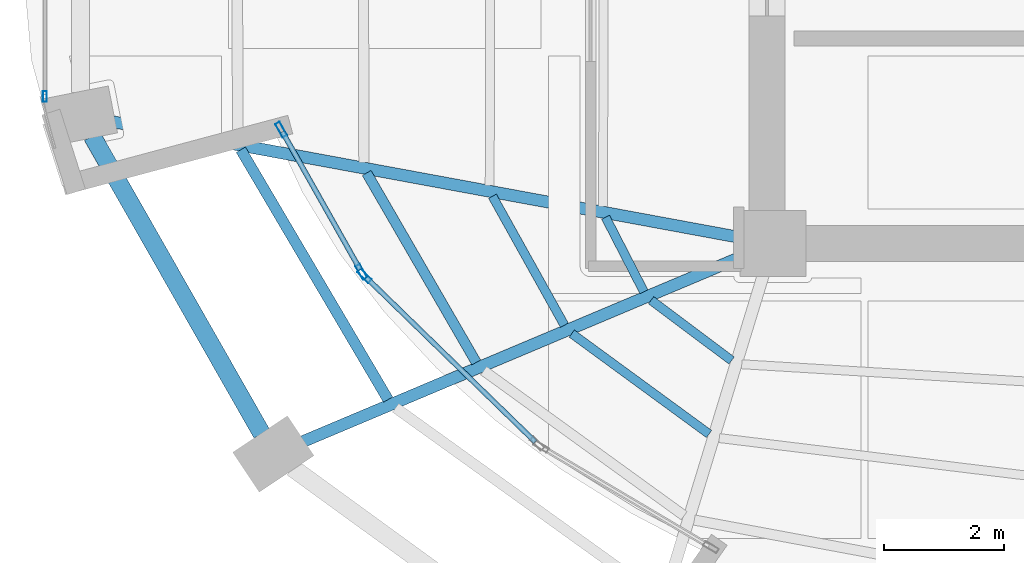
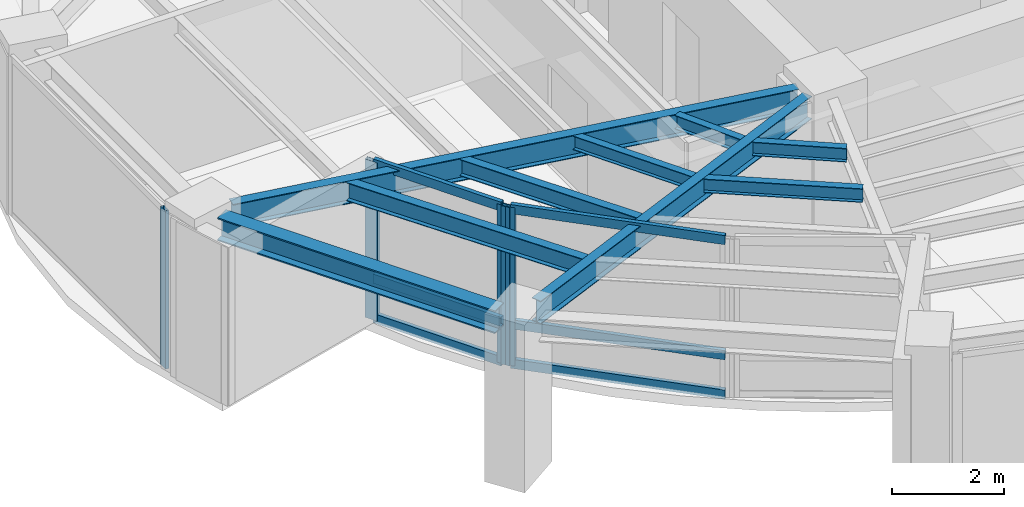
# One storey, part 3 of 22: 10 members, 9 beams, 3 elements without a shape of their own.
"""IFC4 building model written with IfcOpenShell, lengths in metres."""

from ifc_helpers import new_model, si_unit, direction, frame, origin, origin_2d, place, context, subcontext, project, spatial, hollow_rectangle, i_section, extrude, material, layer, layer_set, material_profile, profile_set, type_object, element, aggregate, save


model = new_model("IFC4")

# Units and contexts
model_context = context("Model", 3, precision=1e-05, world=origin(), true_north=direction((0.0, 1.0)))
body_context = subcontext(model_context, "Body", "Model", "MODEL_VIEW")
ifc_project = project(units=[si_unit("LENGTHUNIT", "METRE"), si_unit("AREAUNIT", "SQUARE_METRE"), si_unit("VOLUMEUNIT", "CUBIC_METRE"), si_unit("PLANEANGLEUNIT", "RADIAN"), si_unit("MASSUNIT", "GRAM", prefix="KILO")], contexts=[model_context])

# Site, building, storey
site_placement = place(None, origin())
site = spatial("IfcSite", under=ifc_project, at=site_placement, CompositionType="ELEMENT")
building_placement = place(site_placement, origin())
building = spatial("IfcBuilding", under=site, at=building_placement, Name="Lazwardi Medical Tower", CompositionType="ELEMENT")
storey_placement = place(building_placement, frame((0.0, 0.0, 224.01611328125)))
storey = spatial("IfcBuildingStorey", under=building, at=storey_placement, Name="L58", CompositionType="ELEMENT", Elevation=224.01611328125)

# Beams
ifc_material_1 = material(Name="Steel S355", Category="steel")
ifc_material_profile_1 = material_profile(ifc_material_1, i_section(OverallWidth=0.300048828125, OverallDepth=0.5, WebThickness=0.014404296875, FlangeThickness=0.028076171875, at=origin_2d()), Name="HEB 500")
ifc_profile_set_1 = profile_set([ifc_material_profile_1], Name="Steel S355")
beam_type_1 = type_object("IfcBeamType", Name="BM-RB-Z4", PredefinedType="BEAM", material=ifc_profile_set_1)
beam_1_placement = place(storey_placement, frame((15.008056640625, 22.1982421875, 3.197998046875), z_axis=(0.495125273299, -0.868821594886, 0.0), x_axis=(0.868821594886, 0.495125273299, 0.0)))
element("IfcBeam", 1, at=beam_1_placement, inside=storey, type_object=beam_type_1, Name="Ring beam RB-05 B13 L58", PredefinedType="BEAM", context=body_context, shape_type="SweptSolid", body=[
    extrude(i_section(OverallWidth=0.300048828125, OverallDepth=0.5, WebThickness=0.014404296875, FlangeThickness=0.028076171875, at=origin_2d()), origin(), (0.0, 0.0, 1.0), 5.734130859375),
])
ifc_material_profile_2 = material_profile(ifc_material_1, i_section(OverallWidth=0.199951171875, OverallDepth=0.5, WebThickness=0.01025390625, FlangeThickness=0.01611328125, at=origin_2d()), Name="IPE 500")
ifc_profile_set_2 = profile_set([ifc_material_profile_2], Name="Steel S355")
beam_type_2 = type_object("IfcBeamType", Name="BM-RG-W3", PredefinedType="BEAM", material=ifc_profile_set_2)
beam_2_placement = place(storey_placement, frame((15.341064453125, 22.43994140625, 3.197998046875), z_axis=(0.983409341459, -0.181400295288, 0.0), x_axis=(0.181400295288, 0.983409341459, 0.0)))
element("IfcBeam", 2, at=beam_2_placement, inside=storey, type_object=beam_type_2, Name="Radial girder RG-04 R13 L58", PredefinedType="BEAM", context=body_context, shape_type="SweptSolid", body=[
    extrude(i_section(OverallWidth=0.199951171875, OverallDepth=0.5, WebThickness=0.01025390625, FlangeThickness=0.01611328125, at=origin_2d()), origin(), (0.0, 0.0, 1.0), 10.71044921875),
])
beam_3_placement = place(storey_placement, frame((18.533203125, 17.085205078125, 3.197998046875), z_axis=(0.921526791352, 0.388314785735, 0.0), x_axis=(-0.388314785735, 0.921526791352, 0.0)))
element("IfcBeam", 3, at=beam_3_placement, inside=storey, type_object=beam_type_2, Name="Radial girder RG-04 R14 L58", PredefinedType="BEAM", context=body_context, shape_type="SweptSolid", body=[
    extrude(i_section(OverallWidth=0.199951171875, OverallDepth=0.5, WebThickness=0.01025390625, FlangeThickness=0.01611328125, at=origin_2d()), origin(), (0.0, 0.0, 1.0), 8.001708984375),
])
ifc_material_profile_3 = material_profile(ifc_material_1, i_section(OverallWidth=0.179931640625, OverallDepth=0.39990234375, WebThickness=0.008544921875, FlangeThickness=0.013427734375, at=origin_2d()), Name="IPE 400")
ifc_profile_set_3 = profile_set([ifc_material_profile_3], Name="Steel S355")
beam_type_3 = type_object("IfcBeamType", Name="BM-SJ-01", PredefinedType="JOIST", material=ifc_profile_set_3)
beam_4_placement = place(storey_placement, frame((17.495849609375, 21.969482421875, 3.247802734375), z_axis=(0.507710311367, -0.861527851977, 0.0), x_axis=(0.861527851977, 0.507710311367, 0.0)))
element("IfcBeam", 4, at=beam_4_placement, inside=storey, type_object=beam_type_3, Name="Secondary joist SJ-01 R1 B13 L58", PredefinedType="JOIST", context=body_context, shape_type="SweptSolid", body=[
    extrude(i_section(OverallWidth=0.179931640625, OverallDepth=0.39990234375, WebThickness=0.008544921875, FlangeThickness=0.013427734375, at=origin_2d()), origin(), (0.0, 0.0, 1.0), 4.852783203125),
])
ifc_material_profile_4 = material_profile(ifc_material_1, i_section(OverallWidth=0.169921875, OverallDepth=0.360107421875, WebThickness=0.008056640625, FlangeThickness=0.0126953125, at=origin_2d()), Name="IPE 360")
ifc_profile_set_4 = profile_set([ifc_material_profile_4], Name="Steel S355")
beam_type_4 = type_object("IfcBeamType", Name="BM-SJ-02", PredefinedType="JOIST", material=ifc_profile_set_4)
beam_5_placement = place(storey_placement, frame((19.601806640625, 21.58056640625, 3.267822265625), z_axis=(0.500655179543, -0.865646805109, 0.0), x_axis=(0.865646805109, 0.500655179543, 0.0)))
element("IfcBeam", 5, at=beam_5_placement, inside=storey, type_object=beam_type_4, Name="Secondary joist SJ-02 R2 B13 L58", PredefinedType="JOIST", context=body_context, shape_type="SweptSolid", body=[
    extrude(i_section(OverallWidth=0.169921875, OverallDepth=0.360107421875, WebThickness=0.008056640625, FlangeThickness=0.0126953125, at=origin_2d()), origin(), (0.0, 0.0, 1.0), 3.662109375),
])
ifc_material_profile_5 = material_profile(ifc_material_1, i_section(OverallWidth=0.14990234375, OverallDepth=0.300048828125, WebThickness=0.007080078125, FlangeThickness=0.0107421875, at=origin_2d()), Name="IPE 300")
ifc_profile_set_5 = profile_set([ifc_material_profile_5], Name="Steel S355")
beam_type_5 = type_object("IfcBeamType", Name="BM-SJ-03", PredefinedType="JOIST", material=ifc_profile_set_5)
beam_6_placement = place(storey_placement, frame((21.70703125, 21.19140625, 3.2978515625), z_axis=(0.487092942089, -0.873350139272, 0.0), x_axis=(0.873350139272, 0.487092942089, 0.0)))
element("IfcBeam", 6, at=beam_6_placement, inside=storey, type_object=beam_type_5, Name="Secondary joist SJ-03 R3 B13 L58", PredefinedType="JOIST", context=body_context, shape_type="SweptSolid", body=[
    extrude(i_section(OverallWidth=0.14990234375, OverallDepth=0.300048828125, WebThickness=0.007080078125, FlangeThickness=0.0107421875, at=origin_2d()), origin(), (0.0, 0.0, 1.0), 2.471923828125),
])
beam_7_placement = place(storey_placement, frame((23.0341796875, 18.893310546875, 3.2978515625), z_axis=(0.80703431267, -0.59050454543, 0.0), x_axis=(0.59050454543, 0.80703431267, 0.0)))
element("IfcBeam", 7, at=beam_7_placement, inside=storey, type_object=beam_type_5, Name="Secondary joist SJ-03 R3 B14 L58", PredefinedType="JOIST", context=body_context, shape_type="SweptSolid", body=[
    extrude(i_section(OverallWidth=0.14990234375, OverallDepth=0.300048828125, WebThickness=0.007080078125, FlangeThickness=0.0107421875, at=origin_2d()), origin(), (0.0, 0.0, 1.0), 2.846923828125),
])
beam_8_placement = place(storey_placement, frame((23.60009765625, 20.840087890625, 3.2978515625), z_axis=(0.457285056668, -0.889320176848, 0.0), x_axis=(0.889320176848, 0.457285056668, 0.0)))
element("IfcBeam", 8, at=beam_8_placement, inside=storey, type_object=beam_type_5, Name="Secondary joist SJ-03 R4 B13 L58", PredefinedType="JOIST", context=body_context, shape_type="SweptSolid", body=[
    extrude(i_section(OverallWidth=0.14990234375, OverallDepth=0.300048828125, WebThickness=0.007080078125, FlangeThickness=0.0107421875, at=origin_2d()), origin(), (0.0, 0.0, 1.0), 1.402099609375),
])
beam_9_placement = place(storey_placement, frame((24.36083984375, 19.451904296875, 3.2978515625), z_axis=(0.800365301971, -0.599512621553, 0.0), x_axis=(0.599512621553, 0.800365301971, 0.0)))
element("IfcBeam", 9, at=beam_9_placement, inside=storey, type_object=beam_type_5, Name="Secondary joist SJ-03 R4 B14 L58", PredefinedType="JOIST", context=body_context, shape_type="SweptSolid", body=[
    extrude(i_section(OverallWidth=0.14990234375, OverallDepth=0.300048828125, WebThickness=0.007080078125, FlangeThickness=0.0107421875, at=origin_2d()), origin(), (0.0, 0.0, 1.0), 1.68359375),
])

# Curtain wall, members
ifc_material_2 = material(Name="Anodised bronze aluminium and solar control glazing", Category="aluminium")
ifc_layer_1 = layer(ifc_material_2, 0.239990234375)
ifc_layer_set_1 = layer_set([ifc_layer_1], Name="Anodised bronze aluminium and solar control glazing")
curtain_wall_type_1 = type_object("IfcCurtainWallType", Name="CW-SYS-05", PredefinedType="NOTDEFINED", material=ifc_layer_set_1)
curtain_wall_1_placement = place(storey_placement, origin())
curtain_wall_1 = element("IfcCurtainWall", 10, at=curtain_wall_1_placement, inside=storey, type_object=curtain_wall_type_1, Name="L58 Unitised bronze curtain wall CW-05", PredefinedType="NOTDEFINED")
ifc_material_3 = material(Name="Anodised bronze aluminium", Category="aluminium")
ifc_material_profile_6 = material_profile(ifc_material_3, hollow_rectangle(XDim=0.0849609375, YDim=0.260009765625, WallThickness=0.0048828125, at=origin_2d()), Name="ALU-MULLION 260x85x5")
ifc_profile_set_6 = profile_set([ifc_material_profile_6], Name="Anodised bronze aluminium")
member_type_1 = type_object("IfcMemberType", Name="CW-MUL-02", PredefinedType="MULLION", material=ifc_profile_set_6)
member_1_placement = place(storey_placement, frame((18.170654296875, 22.30712890625, 0.0), z_axis=(0.0, 0.0, 1.0), x_axis=(0.871060591765, 0.491175574998, 0.0)))
member_1 = element("IfcMember", 11, at=member_1_placement, type_object=member_type_1, Name="CW-05 mullion 1", PredefinedType="MULLION", context=body_context, shape_type="SweptSolid", body=[
    extrude(hollow_rectangle(XDim=0.0849609375, YDim=0.260009765625, WallThickness=0.0048828125, at=origin_2d()), origin(), (0.0, 0.0, 1.0), 3.447998046875),
])
member_2_placement = place(storey_placement, frame((19.513427734375, 19.92578125, 0.0), z_axis=(0.0, 0.0, 1.0), x_axis=(0.871060591765, 0.491175574998, 0.0)))
member_2 = element("IfcMember", 12, at=member_2_placement, type_object=member_type_1, Name="CW-05 mullion 2", PredefinedType="MULLION", context=body_context, shape_type="SweptSolid", body=[
    extrude(hollow_rectangle(XDim=0.0849609375, YDim=0.260009765625, WallThickness=0.0048828125, at=origin_2d()), origin(), (0.0, 0.0, 1.0), 3.447998046875),
])

# Curtain wall, member
curtain_wall_2_placement = place(storey_placement, origin())
curtain_wall_2 = element("IfcCurtainWall", 13, at=curtain_wall_2_placement, inside=storey, type_object=curtain_wall_type_1, Name="L58 Unitised bronze curtain wall CW-05", PredefinedType="NOTDEFINED")
member_3_placement = place(storey_placement, frame((19.564697265625, 19.859130859375, 0.0), z_axis=(0.0, 0.0, 1.0), x_axis=(0.697060347158, 0.717012463225, 0.0)))
member_3 = element("IfcMember", 14, at=member_3_placement, type_object=member_type_1, Name="CW-05 mullion 1", PredefinedType="MULLION", context=body_context, shape_type="SweptSolid", body=[
    extrude(hollow_rectangle(XDim=0.0849609375, YDim=0.260009765625, WallThickness=0.0048828125, at=origin_2d()), origin(), (0.0, 0.0, 1.0), 3.447998046875),
])

ifc_layer_2 = layer(ifc_material_2, 0.18994140625)
ifc_layer_set_2 = layer_set([ifc_layer_2], Name="Anodised bronze aluminium and solar control glazing")
curtain_wall_type_2 = type_object("IfcCurtainWallType", Name="CW-SYS-04", PredefinedType="NOTDEFINED", material=ifc_layer_set_2)
curtain_wall_3_placement = place(storey_placement, origin())
curtain_wall_3 = element("IfcCurtainWall", 15, at=curtain_wall_3_placement, inside=storey, type_object=curtain_wall_type_2, Name="L58 Unitised bronze curtain wall CW-04", PredefinedType="NOTDEFINED")
ifc_material_profile_7 = material_profile(ifc_material_3, hollow_rectangle(XDim=0.06494140625, YDim=0.179931640625, WallThickness=0.00390625, at=origin_2d()), Name="ALU-MULLION 180x65x4")
ifc_profile_set_7 = profile_set([ifc_material_profile_7], Name="Anodised bronze aluminium")
member_type_2 = type_object("IfcMemberType", Name="CW-MUL-03", PredefinedType="MULLION", material=ifc_profile_set_7)
member_4_placement = place(storey_placement, frame((14.2158203125, 22.859619140625, 0.0), z_axis=(0.0, 0.0, 1.0), x_axis=(1.0, 0.0, 0.0)))
member_4 = element("IfcMember", 16, at=member_4_placement, type_object=member_type_2, Name="CW-04 mullion 2", PredefinedType="MULLION", context=body_context, shape_type="SweptSolid", body=[
    extrude(hollow_rectangle(XDim=0.06494140625, YDim=0.179931640625, WallThickness=0.00390625, at=origin_2d()), origin(), (0.0, 0.0, 1.0), 3.447998046875),
])
aggregate(curtain_wall_3, [member_4])

# Member
ifc_material_profile_8 = material_profile(ifc_material_3, hollow_rectangle(XDim=0.0849609375, YDim=0.199951171875, WallThickness=0.00439453125, at=origin_2d()), Name="ALU-TRANSOM 200x85x4.5")
ifc_profile_set_8 = profile_set([ifc_material_profile_8], Name="Anodised bronze aluminium")
member_type_3 = type_object("IfcMemberType", Name="CW-TRN-02", PredefinedType="USERDEFINED", material=ifc_profile_set_8)
member_5_placement = place(storey_placement, frame((18.19140625, 22.27001953125, 0.04248046875), z_axis=(0.491197470576, -0.871048244875, 0.0), x_axis=(0.871048244875, 0.491197470576, 0.0)))
member_5 = element("IfcMember", 17, at=member_5_placement, type_object=member_type_3, Name="CW-05 transom 1.1", ObjectType="TRANSOM", PredefinedType="USERDEFINED", context=body_context, shape_type="SweptSolid", body=[
    extrude(hollow_rectangle(XDim=0.0849609375, YDim=0.199951171875, WallThickness=0.00439453125, at=origin_2d()), origin(), (0.0, 0.0, 1.0), 2.648681640625),
])

member_6_placement = place(storey_placement, frame((18.19140625, 22.27001953125, 0.89990234375), z_axis=(0.491197470576, -0.871048244875, 0.0), x_axis=(0.871048244875, 0.491197470576, 0.0)))
member_6 = element("IfcMember", 18, at=member_6_placement, type_object=member_type_3, Name="CW-05 transom 1.2", ObjectType="TRANSOM", PredefinedType="USERDEFINED", context=body_context, shape_type="SweptSolid", body=[
    extrude(hollow_rectangle(XDim=0.0849609375, YDim=0.199951171875, WallThickness=0.00439453125, at=origin_2d()), origin(), (0.0, 0.0, 1.0), 2.648681640625),
])

member_7_placement = place(storey_placement, frame((18.19140625, 22.27001953125, 3.4052734375), z_axis=(0.491197470576, -0.871048244875, 0.0), x_axis=(0.871048244875, 0.491197470576, 0.0)))
member_7 = element("IfcMember", 19, at=member_7_placement, type_object=member_type_3, Name="CW-05 transom 1.3", ObjectType="TRANSOM", PredefinedType="USERDEFINED", context=body_context, shape_type="SweptSolid", body=[
    extrude(hollow_rectangle(XDim=0.0849609375, YDim=0.199951171875, WallThickness=0.00439453125, at=origin_2d()), origin(), (0.0, 0.0, 1.0), 2.648681640625),
])

aggregate(curtain_wall_1, [member_1, member_2, member_5, member_6, member_7])

member_8_placement = place(storey_placement, frame((19.59521484375, 19.82958984375, 0.04248046875), z_axis=(0.717000933529, -0.697072206675, 0.0), x_axis=(0.697072206675, 0.717000933529, 0.0)))
member_8 = element("IfcMember", 20, at=member_8_placement, type_object=member_type_3, Name="CW-05 transom 1.1", ObjectType="TRANSOM", PredefinedType="USERDEFINED", context=body_context, shape_type="SweptSolid", body=[
    extrude(hollow_rectangle(XDim=0.0849609375, YDim=0.199951171875, WallThickness=0.00439453125, at=origin_2d()), origin(), (0.0, 0.0, 1.0), 3.94482421875),
])

member_9_placement = place(storey_placement, frame((19.59521484375, 19.82958984375, 0.89990234375), z_axis=(0.717000933529, -0.697072206675, 0.0), x_axis=(0.697072206675, 0.717000933529, 0.0)))
member_9 = element("IfcMember", 21, at=member_9_placement, type_object=member_type_3, Name="CW-05 transom 1.2", ObjectType="TRANSOM", PredefinedType="USERDEFINED", context=body_context, shape_type="SweptSolid", body=[
    extrude(hollow_rectangle(XDim=0.0849609375, YDim=0.199951171875, WallThickness=0.00439453125, at=origin_2d()), origin(), (0.0, 0.0, 1.0), 3.94482421875),
])

member_10_placement = place(storey_placement, frame((19.59521484375, 19.82958984375, 3.4052734375), z_axis=(0.717000933529, -0.697072206675, 0.0), x_axis=(0.697072206675, 0.717000933529, 0.0)))
member_10 = element("IfcMember", 22, at=member_10_placement, type_object=member_type_3, Name="CW-05 transom 1.3", ObjectType="TRANSOM", PredefinedType="USERDEFINED", context=body_context, shape_type="SweptSolid", body=[
    extrude(hollow_rectangle(XDim=0.0849609375, YDim=0.199951171875, WallThickness=0.00439453125, at=origin_2d()), origin(), (0.0, 0.0, 1.0), 3.94482421875),
])

aggregate(curtain_wall_2, [member_3, member_8, member_9, member_10])

save(model, "model.ifc")
